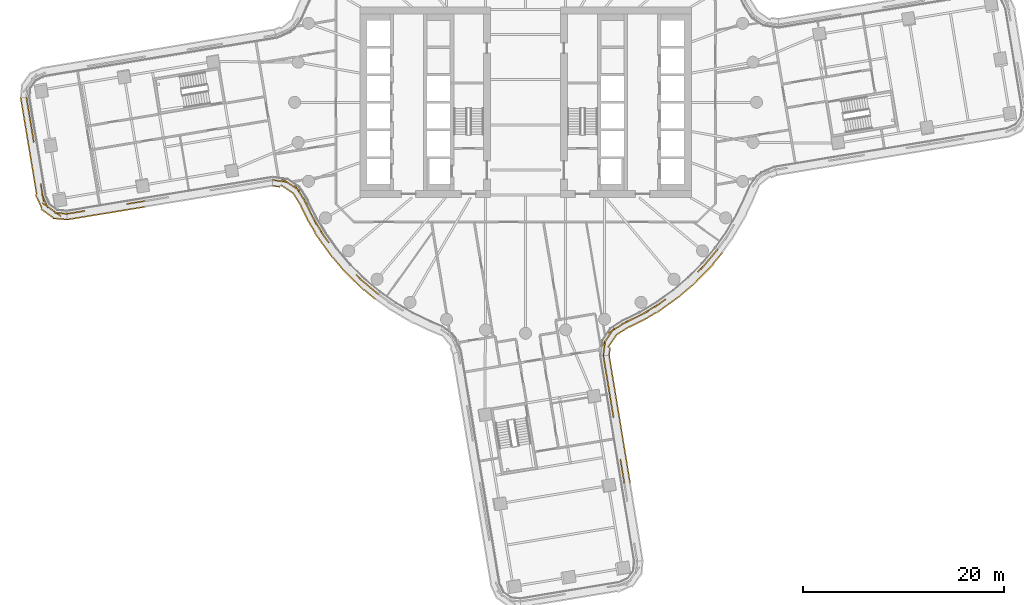
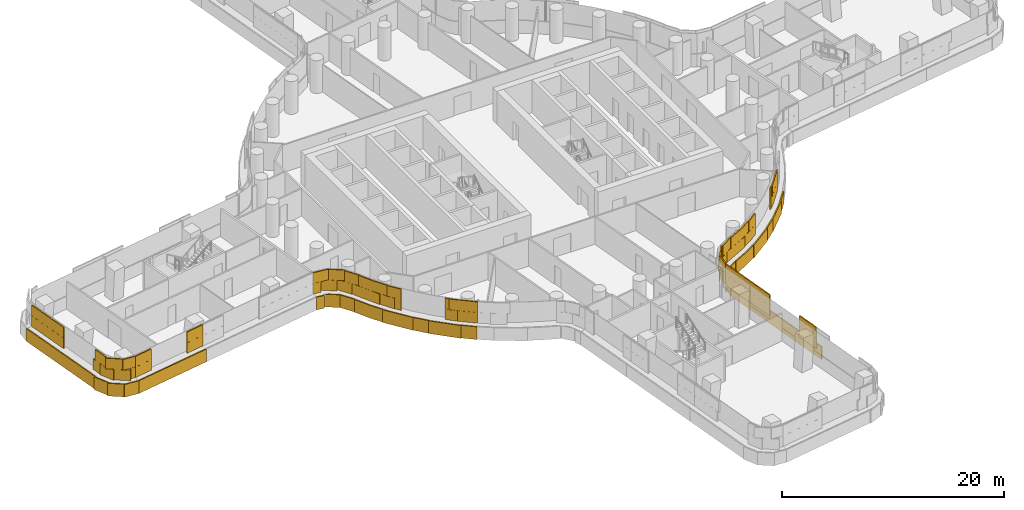
# One storey, part 27 of 32: 5 coverings.
"""IFC4 building model written with IfcOpenShell, lengths in metres."""

from ifc_helpers import new_model, si_unit, direction, frame, origin, origin_2d, place, context, subcontext, project, spatial, rectangle, extrude, material, layer, layer_set, type_object, element, save


model = new_model("IFC4")

# Units and contexts
model_context = context("Model", 3, precision=1e-05, world=origin(), true_north=direction((0.0, 1.0)))
body_context = subcontext(model_context, "Body", "Model", "MODEL_VIEW")
ifc_project = project(units=[si_unit("LENGTHUNIT", "METRE"), si_unit("AREAUNIT", "SQUARE_METRE"), si_unit("VOLUMEUNIT", "CUBIC_METRE"), si_unit("PLANEANGLEUNIT", "RADIAN"), si_unit("MASSUNIT", "GRAM", prefix="KILO")], contexts=[model_context])

# Site, building, storey
site_placement = place(None, origin())
site = spatial("IfcSite", under=ifc_project, at=site_placement, CompositionType="ELEMENT")
building_placement = place(site_placement, origin())
building = spatial("IfcBuilding", under=site, at=building_placement, Name="Tamarind Cross Interchange Tower", CompositionType="ELEMENT")
storey_placement = place(building_placement, frame((0.0, 0.0, 67.75)))
storey = spatial("IfcBuildingStorey", under=building, at=storey_placement, Name="L15", CompositionType="ELEMENT", Elevation=67.75)

# Coverings
ifc_material = material(Name="Terracotta", Category="masonry")
ifc_layer = layer(ifc_material, 0.1201171875)
ifc_layer_set = layer_set([ifc_layer], Name="Terracotta")
covering_type = type_object("IfcCoveringType", Name="Terracotta baguette screen unit", PredefinedType="MOLDING", material=ifc_layer_set)
covering_1_placement = place(storey_placement, origin())
element("IfcCovering", 1, at=covering_1_placement, inside=storey, type_object=covering_type, Name="SCR-L15-04-00", PredefinedType="MOLDING", context=body_context, shape_type="SweptSolid", body=[
    extrude(rectangle(XDim=0.760009765625, YDim=0.1201171875, at=origin_2d()), frame((-49.641845703125, 0.122314453125, 1.404052734375), z_axis=(0.0, 0.0, 1.0), x_axis=(0.163381062571, -0.986563038226, 0.0)), (0.0, 0.0, 1.0), 1.1669921875),
    extrude(rectangle(XDim=1.52001953125, YDim=0.1201171875, at=origin_2d()), frame((-49.4580078125, -0.987548828125, 1.404052734375), z_axis=(0.0, 0.0, 1.0), x_axis=(0.163381062571, -0.986563038226, 0.0)), (0.0, 0.0, 1.0), 1.1669921875),
    extrude(rectangle(XDim=1.52001953125, YDim=0.1201171875, at=origin_2d()), frame((-49.212890625, -2.46728515625, 1.404052734375), z_axis=(0.0, 0.0, 1.0), x_axis=(0.163381062571, -0.986563038226, 0.0)), (0.0, 0.0, 1.0), 1.1669921875),
    extrude(rectangle(XDim=0.784912109375, YDim=0.1201171875, at=origin_2d()), frame((-49.027099609375, -3.589599609375, 1.404052734375), z_axis=(0.0, 0.0, 1.0), x_axis=(0.163381062571, -0.986563038226, 0.0)), (0.0, 0.0, 1.0), 1.1669921875),
    extrude(rectangle(XDim=1.03515625, YDim=0.1201171875, at=origin_2d()), frame((-48.19384765625, -8.620849609375, 1.404052734375), z_axis=(0.0, 0.0, 1.0), x_axis=(0.163381062571, -0.986563038226, 0.0)), (0.0, 0.0, 1.0), 1.1669921875),
    extrude(rectangle(XDim=1.52001953125, YDim=0.1201171875, at=origin_2d()), frame((-47.868408203125, -9.830322265625, 1.404052734375), z_axis=(0.0, 0.0, 1.0), x_axis=(0.413155291351, -0.910660587282, 0.0)), (0.0, 0.0, 1.0), 1.1669921875),
    extrude(rectangle(XDim=1.52001953125, YDim=0.1201171875, at=origin_2d()), frame((-46.88671875, -10.89892578125, 1.404052734375), z_axis=(0.0, 0.0, 1.0), x_axis=(0.813133271659, -0.582077557136, 0.0)), (0.0, 0.0, 1.0), 1.1669921875),
    extrude(rectangle(XDim=0.509521484375, YDim=0.1201171875, at=origin_2d()), frame((-45.92431640625, -11.0830078125, 1.404052734375), z_axis=(0.0, 0.0, 1.0), x_axis=(0.995232848487, -0.097527315623, 0.0)), (0.0, 0.0, 1.0), 1.1669921875),
    extrude(rectangle(XDim=1.510009765625, YDim=0.1201171875, at=origin_2d()), frame((-49.58056640625, -0.24755859375, 2.5791015625), z_axis=(0.0, 0.0, 1.0), x_axis=(0.163381062571, -0.986563038226, 0.0)), (0.0, 0.0, 1.0), 1.1669921875),
    extrude(rectangle(XDim=1.52001953125, YDim=0.1201171875, at=origin_2d()), frame((-49.33544921875, -1.7275390625, 2.5791015625), z_axis=(0.0, 0.0, 1.0), x_axis=(0.163381062571, -0.986563038226, 0.0)), (0.0, 0.0, 1.0), 1.1669921875),
    extrude(rectangle(XDim=1.52001953125, YDim=0.1201171875, at=origin_2d()), frame((-49.09033203125, -3.207275390625, 2.5791015625), z_axis=(0.0, 0.0, 1.0), x_axis=(0.163381062571, -0.986563038226, 0.0)), (0.0, 0.0, 1.0), 1.1669921875),
    extrude(rectangle(XDim=1.52001953125, YDim=0.1201171875, at=origin_2d()), frame((-48.110107421875, -9.126708984375, 2.5791015625), z_axis=(0.0, 0.0, 1.0), x_axis=(0.163381062571, -0.986563038226, 0.0)), (0.0, 0.0, 1.0), 1.1669921875),
    extrude(rectangle(XDim=1.52001953125, YDim=0.1201171875, at=origin_2d()), frame((-47.49658203125, -10.46240234375, 2.5791015625), z_axis=(0.0, 0.0, 1.0), x_axis=(0.813133271659, -0.582077557136, 0.0)), (0.0, 0.0, 1.0), 1.1669921875),
    extrude(rectangle(XDim=1.259521484375, YDim=0.1201171875, at=origin_2d()), frame((-46.29736328125, -11.04638671875, 2.5791015625), z_axis=(0.0, 0.0, 1.0), x_axis=(0.995232848487, -0.097527315623, 0.0)), (0.0, 0.0, 1.0), 1.1669921875),
    extrude(rectangle(XDim=0.760009765625, YDim=0.1201171875, at=origin_2d()), frame((-50.219482421875, 0.09814453125, 0.00390625), z_axis=(0.0, 0.0, 1.0), x_axis=(0.163381062571, -0.986563038226, 0.0)), (0.0, 0.0, 1.0), 1.39208984375),
    extrude(rectangle(XDim=1.52001953125, YDim=0.1201171875, at=origin_2d()), frame((-50.03662109375, -1.0068359375, 0.00390625), z_axis=(0.0, 0.0, 1.0), x_axis=(0.163381062571, -0.986563038226, 0.0)), (0.0, 0.0, 1.0), 1.39208984375),
    extrude(rectangle(XDim=1.52001953125, YDim=0.1201171875, at=origin_2d()), frame((-49.79150390625, -2.486572265625, 0.00390625), z_axis=(0.0, 0.0, 1.0), x_axis=(0.163381062571, -0.986563038226, 0.0)), (0.0, 0.0, 1.0), 1.39208984375),
    extrude(rectangle(XDim=1.52001953125, YDim=0.1201171875, at=origin_2d()), frame((-49.54638671875, -3.966552734375, 0.00390625), z_axis=(0.0, 0.0, 1.0), x_axis=(0.163381062571, -0.986563038226, 0.0)), (0.0, 0.0, 1.0), 1.39208984375),
    extrude(rectangle(XDim=1.52001953125, YDim=0.1201171875, at=origin_2d()), frame((-49.30126953125, -5.4462890625, 0.00390625), z_axis=(0.0, 0.0, 1.0), x_axis=(0.163381062571, -0.986563038226, 0.0)), (0.0, 0.0, 1.0), 1.39208984375),
    extrude(rectangle(XDim=1.52001953125, YDim=0.1201171875, at=origin_2d()), frame((-49.05615234375, -6.926025390625, 0.00390625), z_axis=(0.0, 0.0, 1.0), x_axis=(0.163381062571, -0.986563038226, 0.0)), (0.0, 0.0, 1.0), 1.39208984375),
    extrude(rectangle(XDim=1.52001953125, YDim=0.1201171875, at=origin_2d()), frame((-48.811279296875, -8.406005859375, 0.00390625), z_axis=(0.0, 0.0, 1.0), x_axis=(0.163381062571, -0.986563038226, 0.0)), (0.0, 0.0, 1.0), 1.39208984375),
    extrude(rectangle(XDim=1.52001953125, YDim=0.1201171875, at=origin_2d()), frame((-48.48486328125, -9.861083984375, 0.00390625), z_axis=(0.0, 0.0, 1.0), x_axis=(0.413155291351, -0.910660587282, 0.0)), (0.0, 0.0, 1.0), 1.39208984375),
    extrude(rectangle(XDim=1.52001953125, YDim=0.1201171875, at=origin_2d()), frame((-47.6552734375, -11.0546875, 0.00390625), z_axis=(0.0, 0.0, 1.0), x_axis=(0.813133271659, -0.582077557136, 0.0)), (0.0, 0.0, 1.0), 1.39208984375),
    extrude(rectangle(XDim=1.4267578125, YDim=0.1201171875, at=origin_2d()), frame((-46.36669921875, -11.616455078125, 0.00390625), z_axis=(0.0, 0.0, 1.0), x_axis=(0.995232848487, -0.097527315623, 0.0)), (0.0, 0.0, 1.0), 1.39208984375),
])
covering_2_placement = place(storey_placement, origin())
element("IfcCovering", 2, at=covering_2_placement, inside=storey, type_object=covering_type, Name="SCR-L15-05-00", PredefinedType="MOLDING", context=body_context, shape_type="SweptSolid", body=[
    extrude(rectangle(XDim=0.760009765625, YDim=0.1201171875, at=origin_2d()), frame((-45.3056640625, -11.046630859375, 1.404052734375), z_axis=(0.0, 0.0, 1.0), x_axis=(0.986763854922, 0.162163789482, 0.0)), (0.0, 0.0, 1.0), 1.1669921875),
    extrude(rectangle(XDim=1.08984375, YDim=0.1201171875, at=origin_2d()), frame((-44.40283203125, -10.898193359375, 1.404052734375), z_axis=(0.0, 0.0, 1.0), x_axis=(0.986763854922, 0.162163789482, 0.0)), (0.0, 0.0, 1.0), 1.1669921875),
    extrude(rectangle(XDim=0.730224609375, YDim=0.1201171875, at=origin_2d()), frame((-39.370361328125, -10.071044921875, 1.404052734375), z_axis=(0.0, 0.0, 1.0), x_axis=(0.986763854922, 0.162163789482, 0.0)), (0.0, 0.0, 1.0), 1.1669921875),
    extrude(rectangle(XDim=1.11962890625, YDim=0.1201171875, at=origin_2d()), frame((-38.467529296875, -9.9228515625, 1.404052734375), z_axis=(0.0, 0.0, 1.0), x_axis=(0.986763854922, 0.162163789482, 0.0)), (0.0, 0.0, 1.0), 1.1669921875),
    extrude(rectangle(XDim=1.510009765625, YDim=0.1201171875, at=origin_2d()), frame((-44.935546875, -10.98583984375, 2.5791015625), z_axis=(0.0, 0.0, 1.0), x_axis=(0.986763854922, 0.162163789482, 0.0)), (0.0, 0.0, 1.0), 1.1669921875),
    extrude(rectangle(XDim=0.33984375, YDim=0.1201171875, at=origin_2d()), frame((-44.03271484375, -10.83740234375, 2.5791015625), z_axis=(0.0, 0.0, 1.0), x_axis=(0.986763854922, 0.162163789482, 0.0)), (0.0, 0.0, 1.0), 1.1669921875),
    extrude(rectangle(XDim=1.480224609375, YDim=0.1201171875, at=origin_2d()), frame((-39.000244140625, -10.01025390625, 2.5791015625), z_axis=(0.0, 0.0, 1.0), x_axis=(0.986763854922, 0.162163789482, 0.0)), (0.0, 0.0, 1.0), 1.1669921875),
    extrude(rectangle(XDim=0.36962890625, YDim=0.1201171875, at=origin_2d()), frame((-38.097412109375, -9.862060546875, 2.5791015625), z_axis=(0.0, 0.0, 1.0), x_axis=(0.986763854922, 0.162163789482, 0.0)), (0.0, 0.0, 1.0), 1.1669921875),
    extrude(rectangle(XDim=0.760009765625, YDim=0.1201171875, at=origin_2d()), frame((-45.28173828125, -11.624267578125, 0.00390625), z_axis=(0.0, 0.0, 1.0), x_axis=(0.986763854922, 0.162163789482, 0.0)), (0.0, 0.0, 1.0), 1.39208984375),
    extrude(rectangle(XDim=1.52001953125, YDim=0.1201171875, at=origin_2d()), frame((-44.176513671875, -11.442626953125, 0.00390625), z_axis=(0.0, 0.0, 1.0), x_axis=(0.986763854922, 0.162163789482, 0.0)), (0.0, 0.0, 1.0), 1.39208984375),
    extrude(rectangle(XDim=1.52001953125, YDim=0.1201171875, at=origin_2d()), frame((-42.696533203125, -11.199462890625, 0.00390625), z_axis=(0.0, 0.0, 1.0), x_axis=(0.986763854922, 0.162163789482, 0.0)), (0.0, 0.0, 1.0), 1.39208984375),
    extrude(rectangle(XDim=1.52001953125, YDim=0.1201171875, at=origin_2d()), frame((-41.21630859375, -10.956298828125, 0.00390625), z_axis=(0.0, 0.0, 1.0), x_axis=(0.986763854922, 0.162163789482, 0.0)), (0.0, 0.0, 1.0), 1.39208984375),
    extrude(rectangle(XDim=1.52001953125, YDim=0.1201171875, at=origin_2d()), frame((-39.736083984375, -10.712890625, 0.00390625), z_axis=(0.0, 0.0, 1.0), x_axis=(0.986763854922, 0.162163789482, 0.0)), (0.0, 0.0, 1.0), 1.39208984375),
    extrude(rectangle(XDim=1.115966796875, YDim=0.1201171875, at=origin_2d()), frame((-38.455322265625, -10.50244140625, 0.00390625), z_axis=(0.0, 0.0, 1.0), x_axis=(0.986763854922, 0.162163789482, 0.0)), (0.0, 0.0, 1.0), 1.39208984375),
])
covering_3_placement = place(storey_placement, origin())
element("IfcCovering", 3, at=covering_3_placement, inside=storey, type_object=covering_type, Name="SCR-L15-06-00", PredefinedType="MOLDING", context=body_context, shape_type="SweptSolid", body=[
    extrude(rectangle(XDim=0.760009765625, YDim=0.1201171875, at=origin_2d()), frame((-24.82666015625, -7.791748046875, 1.404052734375), z_axis=(0.0, 0.0, 1.0), x_axis=(0.991258515893, -0.131933902651, 0.0)), (0.0, 0.0, 1.0), 1.1669921875),
    extrude(rectangle(XDim=1.52001953125, YDim=0.1201171875, at=origin_2d()), frame((-23.725830078125, -7.977783203125, 1.404052734375), z_axis=(0.0, 0.0, 1.0), x_axis=(0.829512225213, -0.558488556931, 0.0)), (0.0, 0.0, 1.0), 1.1669921875),
    extrude(rectangle(XDim=1.52001953125, YDim=0.1201171875, at=origin_2d()), frame((-22.568603515625, -8.900390625, 1.404052734375), z_axis=(0.0, 0.0, 1.0), x_axis=(0.535884272478, -0.844291446428, 0.0)), (0.0, 0.0, 1.0), 1.1669921875),
    extrude(rectangle(XDim=1.52001953125, YDim=0.1201171875, at=origin_2d()), frame((-21.8076171875, -10.19091796875, 1.404052734375), z_axis=(0.0, 0.0, 1.0), x_axis=(0.443058811505, -0.896492548518, 0.0)), (0.0, 0.0, 1.0), 1.1669921875),
    extrude(rectangle(XDim=1.52001953125, YDim=0.1201171875, at=origin_2d()), frame((-21.14306640625, -11.53564453125, 1.404052734375), z_axis=(0.0, 0.0, 1.0), x_axis=(0.443058811505, -0.896492548518, 0.0)), (0.0, 0.0, 1.0), 1.1669921875),
    extrude(rectangle(XDim=1.52001953125, YDim=0.1201171875, at=origin_2d()), frame((-20.37109375, -12.82177734375, 1.404052734375), z_axis=(0.0, 0.0, 1.0), x_axis=(0.515577308909, -0.856843065292, 0.0)), (0.0, 0.0, 1.0), 1.1669921875),
    extrude(rectangle(XDim=0.64208984375, YDim=0.1201171875, at=origin_2d()), frame((-19.783203125, -13.7099609375, 1.404052734375), z_axis=(0.0, 0.0, 1.0), x_axis=(0.584573890505, -0.811340475102, 0.0)), (0.0, 0.0, 1.0), 1.1669921875),
    extrude(rectangle(XDim=1.177978515625, YDim=0.1201171875, at=origin_2d()), frame((-16.462646484375, -17.566650390625, 1.404052734375), z_axis=(0.0, 0.0, 1.0), x_axis=(0.710143317658, -0.704057148523, 0.0)), (0.0, 0.0, 1.0), 1.1669921875),
    extrude(rectangle(XDim=1.52001953125, YDim=0.1201171875, at=origin_2d()), frame((-15.458740234375, -18.44384765625, 1.404052734375), z_axis=(0.0, 0.0, 1.0), x_axis=(0.765858396687, -0.643009266048, 0.0)), (0.0, 0.0, 1.0), 1.1669921875),
    extrude(rectangle(XDim=0.34814453125, YDim=0.1201171875, at=origin_2d()), frame((-14.7548828125, -19.034912109375, 1.404052734375), z_axis=(0.0, 0.0, 1.0), x_axis=(0.765858396687, -0.643009266048, 0.0)), (0.0, 0.0, 1.0), 1.1669921875),
    extrude(rectangle(XDim=1.510009765625, YDim=0.1201171875, at=origin_2d()), frame((-24.454833984375, -7.841064453125, 2.5791015625), z_axis=(0.0, 0.0, 1.0), x_axis=(0.991258515893, -0.131933902651, 0.0)), (0.0, 0.0, 1.0), 1.1669921875),
    extrude(rectangle(XDim=1.52001953125, YDim=0.1201171875, at=origin_2d()), frame((-23.103759765625, -8.396728515625, 2.5791015625), z_axis=(0.0, 0.0, 1.0), x_axis=(0.829512225213, -0.558488556931, 0.0)), (0.0, 0.0, 1.0), 1.1669921875),
    extrude(rectangle(XDim=1.52001953125, YDim=0.1201171875, at=origin_2d()), frame((-22.166748046875, -9.533447265625, 2.5791015625), z_axis=(0.0, 0.0, 1.0), x_axis=(0.535884272478, -0.844291446428, 0.0)), (0.0, 0.0, 1.0), 1.1669921875),
    extrude(rectangle(XDim=1.52001953125, YDim=0.1201171875, at=origin_2d()), frame((-21.475341796875, -10.86328125, 2.5791015625), z_axis=(0.0, 0.0, 1.0), x_axis=(0.443058811505, -0.896492548518, 0.0)), (0.0, 0.0, 1.0), 1.1669921875),
    extrude(rectangle(XDim=1.52001953125, YDim=0.1201171875, at=origin_2d()), frame((-20.7578125, -12.178955078125, 2.5791015625), z_axis=(0.0, 0.0, 1.0), x_axis=(0.515577308909, -0.856843065292, 0.0)), (0.0, 0.0, 1.0), 1.1669921875),
    extrude(rectangle(XDim=1.39208984375, YDim=0.1201171875, at=origin_2d()), frame((-20.00244140625, -13.405517578125, 2.5791015625), z_axis=(0.0, 0.0, 1.0), x_axis=(0.584573890505, -0.811340475102, 0.0)), (0.0, 0.0, 1.0), 1.1669921875),
    extrude(rectangle(XDim=0.427978515625, YDim=0.1201171875, at=origin_2d()), frame((-16.728759765625, -17.302734375, 2.5791015625), z_axis=(0.0, 0.0, 1.0), x_axis=(0.710143317658, -0.704057148523, 0.0)), (0.0, 0.0, 1.0), 1.1669921875),
    extrude(rectangle(XDim=1.52001953125, YDim=0.1201171875, at=origin_2d()), frame((-16.032958984375, -17.961669921875, 2.5791015625), z_axis=(0.0, 0.0, 1.0), x_axis=(0.765858396687, -0.643009266048, 0.0)), (0.0, 0.0, 1.0), 1.1669921875),
    extrude(rectangle(XDim=1.09814453125, YDim=0.1201171875, at=origin_2d()), frame((-15.0419921875, -18.793701171875, 2.5791015625), z_axis=(0.0, 0.0, 1.0), x_axis=(0.765858396687, -0.643009266048, 0.0)), (0.0, 0.0, 1.0), 1.1669921875),
    extrude(rectangle(XDim=0.760009765625, YDim=0.1201171875, at=origin_2d()), frame((-24.812744140625, -8.37255859375, 0.00390625), z_axis=(0.0, 0.0, 1.0), x_axis=(0.991258515893, -0.131933902651, 0.0)), (0.0, 0.0, 1.0), 1.39208984375),
    extrude(rectangle(XDim=1.52001953125, YDim=0.1201171875, at=origin_2d()), frame((-23.75244140625, -8.65185546875, 0.00390625), z_axis=(0.0, 0.0, 1.0), x_axis=(0.829512225213, -0.558488556931, 0.0)), (0.0, 0.0, 1.0), 1.39208984375),
    extrude(rectangle(XDim=1.52001953125, YDim=0.1201171875, at=origin_2d()), frame((-22.734619140625, -9.7099609375, 0.00390625), z_axis=(0.0, 0.0, 1.0), x_axis=(0.535884272478, -0.844291446428, 0.0)), (0.0, 0.0, 1.0), 1.39208984375),
    extrude(rectangle(XDim=1.52001953125, YDim=0.1201171875, at=origin_2d()), frame((-22.031494140625, -11.032958984375, 0.00390625), z_axis=(0.0, 0.0, 1.0), x_axis=(0.443058811505, -0.896492548518, 0.0)), (0.0, 0.0, 1.0), 1.39208984375),
    extrude(rectangle(XDim=1.52001953125, YDim=0.1201171875, at=origin_2d()), frame((-21.32275390625, -12.353515625, 0.00390625), z_axis=(0.0, 0.0, 1.0), x_axis=(0.515577308909, -0.856843065292, 0.0)), (0.0, 0.0, 1.0), 1.39208984375),
    extrude(rectangle(XDim=1.52001953125, YDim=0.1201171875, at=origin_2d()), frame((-20.54443359375, -13.635498046875, 0.00390625), z_axis=(0.0, 0.0, 1.0), x_axis=(0.584573890505, -0.811340475102, 0.0)), (0.0, 0.0, 1.0), 1.39208984375),
    extrude(rectangle(XDim=1.52001953125, YDim=0.1201171875, at=origin_2d()), frame((-19.66748046875, -14.8525390625, 0.00390625), z_axis=(0.0, 0.0, 1.0), x_axis=(0.584573890505, -0.811340475102, 0.0)), (0.0, 0.0, 1.0), 1.39208984375),
    extrude(rectangle(XDim=1.52001953125, YDim=0.1201171875, at=origin_2d()), frame((-18.723388671875, -16.016845703125, 0.00390625), z_axis=(0.0, 0.0, 1.0), x_axis=(0.64957723968, -0.760295606781, 0.0)), (0.0, 0.0, 1.0), 1.39208984375),
    extrude(rectangle(XDim=1.52001953125, YDim=0.1201171875, at=origin_2d()), frame((-17.718994140625, -17.12939453125, 0.00390625), z_axis=(0.0, 0.0, 1.0), x_axis=(0.710143317658, -0.704057148523, 0.0)), (0.0, 0.0, 1.0), 1.39208984375),
    extrude(rectangle(XDim=1.52001953125, YDim=0.1201171875, at=origin_2d()), frame((-16.65380859375, -18.185302734375, 0.00390625), z_axis=(0.0, 0.0, 1.0), x_axis=(0.710143317658, -0.704057148523, 0.0)), (0.0, 0.0, 1.0), 1.39208984375),
    extrude(rectangle(XDim=1.4560546875, YDim=0.1201171875, at=origin_2d()), frame((-15.53173828125, -19.1318359375, 0.00390625), z_axis=(0.0, 0.0, 1.0), x_axis=(0.765858396687, -0.643009266048, 0.0)), (0.0, 0.0, 1.0), 1.39208984375),
])
covering_4_placement = place(storey_placement, origin())
element("IfcCovering", 4, at=covering_4_placement, inside=storey, type_object=covering_type, Name="SCR-L15-09-01", PredefinedType="MOLDING", context=body_context, shape_type="SweptSolid", body=[
    extrude(rectangle(XDim=0.400390625, YDim=0.1201171875, at=origin_2d()), frame((9.80126953125, -37.727294921875, 1.404052734375), z_axis=(0.0, 0.0, 1.0), x_axis=(-0.162163789482, 0.986763854922, 0.0)), (0.0, 0.0, 1.0), 1.1669921875),
    extrude(rectangle(XDim=1.52001953125, YDim=0.1201171875, at=origin_2d()), frame((9.64794921875, -36.794677734375, 1.404052734375), z_axis=(0.0, 0.0, 1.0), x_axis=(-0.162163789482, 0.986763854922, 0.0)), (0.0, 0.0, 1.0), 1.1669921875),
    extrude(rectangle(XDim=0.519287109375, YDim=0.1201171875, at=origin_2d()), frame((9.48486328125, -35.803466796875, 1.404052734375), z_axis=(0.0, 0.0, 1.0), x_axis=(-0.162163789482, 0.986763854922, 0.0)), (0.0, 0.0, 1.0), 1.1669921875),
    extrude(rectangle(XDim=1.300537109375, YDim=0.1201171875, at=origin_2d()), frame((8.657958984375, -30.770751953125, 1.404052734375), z_axis=(0.0, 0.0, 1.0), x_axis=(-0.162163789482, 0.986763854922, 0.0)), (0.0, 0.0, 1.0), 1.1669921875),
    extrude(rectangle(XDim=1.52001953125, YDim=0.1201171875, at=origin_2d()), frame((8.431640625, -29.39404296875, 1.404052734375), z_axis=(0.0, 0.0, 1.0), x_axis=(-0.162163789482, 0.986763854922, 0.0)), (0.0, 0.0, 1.0), 1.1669921875),
    extrude(rectangle(XDim=1.52001953125, YDim=0.1201171875, at=origin_2d()), frame((8.1884765625, -27.913818359375, 1.404052734375), z_axis=(0.0, 0.0, 1.0), x_axis=(-0.162163789482, 0.986763854922, 0.0)), (0.0, 0.0, 1.0), 1.1669921875),
    extrude(rectangle(XDim=1.52001953125, YDim=0.1201171875, at=origin_2d()), frame((7.945068359375, -26.43359375, 1.404052734375), z_axis=(0.0, 0.0, 1.0), x_axis=(-0.162163789482, 0.986763854922, 0.0)), (0.0, 0.0, 1.0), 1.1669921875),
    extrude(rectangle(XDim=0.511962890625, YDim=0.1201171875, at=origin_2d()), frame((7.782958984375, -25.446044921875, 1.404052734375), z_axis=(0.0, 0.0, 1.0), x_axis=(-0.162163789482, 0.986763854922, 0.0)), (0.0, 0.0, 1.0), 1.1669921875),
    extrude(rectangle(XDim=1.150390625, YDim=0.1201171875, at=origin_2d()), frame((9.740478515625, -37.357421875, 2.5791015625), z_axis=(0.0, 0.0, 1.0), x_axis=(-0.162163789482, 0.986763854922, 0.0)), (0.0, 0.0, 1.0), 1.1669921875),
    extrude(rectangle(XDim=1.269287109375, YDim=0.1201171875, at=origin_2d()), frame((9.5458984375, -36.17333984375, 2.5791015625), z_axis=(0.0, 0.0, 1.0), x_axis=(-0.162163789482, 0.986763854922, 0.0)), (0.0, 0.0, 1.0), 1.1669921875),
    extrude(rectangle(XDim=0.550537109375, YDim=0.1201171875, at=origin_2d()), frame((8.71875, -31.140869140625, 2.5791015625), z_axis=(0.0, 0.0, 1.0), x_axis=(-0.162163789482, 0.986763854922, 0.0)), (0.0, 0.0, 1.0), 1.1669921875),
    extrude(rectangle(XDim=1.52001953125, YDim=0.1201171875, at=origin_2d()), frame((8.55322265625, -30.134033203125, 2.5791015625), z_axis=(0.0, 0.0, 1.0), x_axis=(-0.162163789482, 0.986763854922, 0.0)), (0.0, 0.0, 1.0), 1.1669921875),
    extrude(rectangle(XDim=1.52001953125, YDim=0.1201171875, at=origin_2d()), frame((8.31005859375, -28.654052734375, 2.5791015625), z_axis=(0.0, 0.0, 1.0), x_axis=(-0.162163789482, 0.986763854922, 0.0)), (0.0, 0.0, 1.0), 1.1669921875),
    extrude(rectangle(XDim=1.52001953125, YDim=0.1201171875, at=origin_2d()), frame((8.06689453125, -27.173828125, 2.5791015625), z_axis=(0.0, 0.0, 1.0), x_axis=(-0.162163789482, 0.986763854922, 0.0)), (0.0, 0.0, 1.0), 1.1669921875),
    extrude(rectangle(XDim=1.261962890625, YDim=0.1201171875, at=origin_2d()), frame((7.84375, -25.81591796875, 2.5791015625), z_axis=(0.0, 0.0, 1.0), x_axis=(-0.162163789482, 0.986763854922, 0.0)), (0.0, 0.0, 1.0), 1.1669921875),
    extrude(rectangle(XDim=0.404052734375, YDim=0.1201171875, at=origin_2d()), frame((10.37939453125, -37.70556640625, 0.00390625), z_axis=(0.0, 0.0, 1.0), x_axis=(-0.162163789482, 0.986763854922, 0.0)), (0.0, 0.0, 1.0), 1.39208984375),
    extrude(rectangle(XDim=1.52001953125, YDim=0.1201171875, at=origin_2d()), frame((10.2265625, -36.77587890625, 0.00390625), z_axis=(0.0, 0.0, 1.0), x_axis=(-0.162163789482, 0.986763854922, 0.0)), (0.0, 0.0, 1.0), 1.39208984375),
    extrude(rectangle(XDim=1.52001953125, YDim=0.1201171875, at=origin_2d()), frame((9.983154296875, -35.295654296875, 0.00390625), z_axis=(0.0, 0.0, 1.0), x_axis=(-0.162163789482, 0.986763854922, 0.0)), (0.0, 0.0, 1.0), 1.39208984375),
    extrude(rectangle(XDim=1.52001953125, YDim=0.1201171875, at=origin_2d()), frame((9.739990234375, -33.815673828125, 0.00390625), z_axis=(0.0, 0.0, 1.0), x_axis=(-0.162163789482, 0.986763854922, 0.0)), (0.0, 0.0, 1.0), 1.39208984375),
    extrude(rectangle(XDim=1.52001953125, YDim=0.1201171875, at=origin_2d()), frame((9.496826171875, -32.33544921875, 0.00390625), z_axis=(0.0, 0.0, 1.0), x_axis=(-0.162163789482, 0.986763854922, 0.0)), (0.0, 0.0, 1.0), 1.39208984375),
    extrude(rectangle(XDim=1.52001953125, YDim=0.1201171875, at=origin_2d()), frame((9.25341796875, -30.855224609375, 0.00390625), z_axis=(0.0, 0.0, 1.0), x_axis=(-0.162163789482, 0.986763854922, 0.0)), (0.0, 0.0, 1.0), 1.39208984375),
    extrude(rectangle(XDim=1.52001953125, YDim=0.1201171875, at=origin_2d()), frame((9.01025390625, -29.375244140625, 0.00390625), z_axis=(0.0, 0.0, 1.0), x_axis=(-0.162163789482, 0.986763854922, 0.0)), (0.0, 0.0, 1.0), 1.39208984375),
    extrude(rectangle(XDim=1.52001953125, YDim=0.1201171875, at=origin_2d()), frame((8.76708984375, -27.89501953125, 0.00390625), z_axis=(0.0, 0.0, 1.0), x_axis=(-0.162163789482, 0.986763854922, 0.0)), (0.0, 0.0, 1.0), 1.39208984375),
    extrude(rectangle(XDim=1.52001953125, YDim=0.1201171875, at=origin_2d()), frame((8.523681640625, -26.414794921875, 0.00390625), z_axis=(0.0, 0.0, 1.0), x_axis=(-0.162163789482, 0.986763854922, 0.0)), (0.0, 0.0, 1.0), 1.39208984375),
    extrude(rectangle(XDim=0.501708984375, YDim=0.1201171875, at=origin_2d()), frame((8.363037109375, -25.43701171875, 0.00390625), z_axis=(0.0, 0.0, 1.0), x_axis=(-0.162163789482, 0.986763854922, 0.0)), (0.0, 0.0, 1.0), 1.39208984375),
])
covering_5_placement = place(storey_placement, origin())
element("IfcCovering", 5, at=covering_5_placement, inside=storey, type_object=covering_type, Name="SCR-L15-10-00", PredefinedType="MOLDING", context=body_context, shape_type="SweptSolid", body=[
    extrude(rectangle(XDim=0.760009765625, YDim=0.1201171875, at=origin_2d()), frame((7.791748046875, -24.82666015625, 1.404052734375), z_axis=(0.0, 0.0, 1.0), x_axis=(0.131933902651, 0.991258515893, 0.0)), (0.0, 0.0, 1.0), 1.1669921875),
    extrude(rectangle(XDim=1.52001953125, YDim=0.1201171875, at=origin_2d()), frame((7.977783203125, -23.725830078125, 1.404052734375), z_axis=(0.0, 0.0, 1.0), x_axis=(0.558488556931, 0.829512225213, 0.0)), (0.0, 0.0, 1.0), 1.1669921875),
    extrude(rectangle(XDim=1.52001953125, YDim=0.1201171875, at=origin_2d()), frame((8.900390625, -22.568603515625, 1.404052734375), z_axis=(0.0, 0.0, 1.0), x_axis=(0.844291446428, 0.535884272478, 0.0)), (0.0, 0.0, 1.0), 1.1669921875),
    extrude(rectangle(XDim=1.52001953125, YDim=0.1201171875, at=origin_2d()), frame((10.19091796875, -21.8076171875, 1.404052734375), z_axis=(0.0, 0.0, 1.0), x_axis=(0.896492548518, 0.443058811505, 0.0)), (0.0, 0.0, 1.0), 1.1669921875),
    extrude(rectangle(XDim=1.52001953125, YDim=0.1201171875, at=origin_2d()), frame((11.53564453125, -21.14306640625, 1.404052734375), z_axis=(0.0, 0.0, 1.0), x_axis=(0.896492548518, 0.443058811505, 0.0)), (0.0, 0.0, 1.0), 1.1669921875),
    extrude(rectangle(XDim=1.52001953125, YDim=0.1201171875, at=origin_2d()), frame((12.82177734375, -20.37109375, 1.404052734375), z_axis=(0.0, 0.0, 1.0), x_axis=(0.856843065292, 0.515577308909, 0.0)), (0.0, 0.0, 1.0), 1.1669921875),
    extrude(rectangle(XDim=0.64208984375, YDim=0.1201171875, at=origin_2d()), frame((13.7099609375, -19.783203125, 1.404052734375), z_axis=(0.0, 0.0, 1.0), x_axis=(0.811340475102, 0.584573890505, 0.0)), (0.0, 0.0, 1.0), 1.1669921875),
    extrude(rectangle(XDim=1.177978515625, YDim=0.1201171875, at=origin_2d()), frame((17.566650390625, -16.462646484375, 1.404052734375), z_axis=(0.0, 0.0, 1.0), x_axis=(0.704057148523, 0.710143317658, 0.0)), (0.0, 0.0, 1.0), 1.1669921875),
    extrude(rectangle(XDim=1.52001953125, YDim=0.1201171875, at=origin_2d()), frame((18.44384765625, -15.458740234375, 1.404052734375), z_axis=(0.0, 0.0, 1.0), x_axis=(0.643009266048, 0.765858396687, 0.0)), (0.0, 0.0, 1.0), 1.1669921875),
    extrude(rectangle(XDim=0.34814453125, YDim=0.1201171875, at=origin_2d()), frame((19.034912109375, -14.7548828125, 1.404052734375), z_axis=(0.0, 0.0, 1.0), x_axis=(0.643009266048, 0.765858396687, 0.0)), (0.0, 0.0, 1.0), 1.1669921875),
    extrude(rectangle(XDim=1.510009765625, YDim=0.1201171875, at=origin_2d()), frame((7.841064453125, -24.454833984375, 2.5791015625), z_axis=(0.0, 0.0, 1.0), x_axis=(0.131933902651, 0.991258515893, 0.0)), (0.0, 0.0, 1.0), 1.1669921875),
    extrude(rectangle(XDim=1.52001953125, YDim=0.1201171875, at=origin_2d()), frame((8.396728515625, -23.103759765625, 2.5791015625), z_axis=(0.0, 0.0, 1.0), x_axis=(0.558488556931, 0.829512225213, 0.0)), (0.0, 0.0, 1.0), 1.1669921875),
    extrude(rectangle(XDim=1.52001953125, YDim=0.1201171875, at=origin_2d()), frame((9.533447265625, -22.166748046875, 2.5791015625), z_axis=(0.0, 0.0, 1.0), x_axis=(0.844291446428, 0.535884272478, 0.0)), (0.0, 0.0, 1.0), 1.1669921875),
    extrude(rectangle(XDim=1.52001953125, YDim=0.1201171875, at=origin_2d()), frame((10.86328125, -21.475341796875, 2.5791015625), z_axis=(0.0, 0.0, 1.0), x_axis=(0.896492548518, 0.443058811505, 0.0)), (0.0, 0.0, 1.0), 1.1669921875),
    extrude(rectangle(XDim=1.52001953125, YDim=0.1201171875, at=origin_2d()), frame((12.178955078125, -20.7578125, 2.5791015625), z_axis=(0.0, 0.0, 1.0), x_axis=(0.856843065292, 0.515577308909, 0.0)), (0.0, 0.0, 1.0), 1.1669921875),
    extrude(rectangle(XDim=1.39208984375, YDim=0.1201171875, at=origin_2d()), frame((13.405517578125, -20.00244140625, 2.5791015625), z_axis=(0.0, 0.0, 1.0), x_axis=(0.811340475102, 0.584573890505, 0.0)), (0.0, 0.0, 1.0), 1.1669921875),
    extrude(rectangle(XDim=0.427978515625, YDim=0.1201171875, at=origin_2d()), frame((17.302734375, -16.728759765625, 2.5791015625), z_axis=(0.0, 0.0, 1.0), x_axis=(0.704057148523, 0.710143317658, 0.0)), (0.0, 0.0, 1.0), 1.1669921875),
    extrude(rectangle(XDim=1.52001953125, YDim=0.1201171875, at=origin_2d()), frame((17.961669921875, -16.032958984375, 2.5791015625), z_axis=(0.0, 0.0, 1.0), x_axis=(0.643009266048, 0.765858396687, 0.0)), (0.0, 0.0, 1.0), 1.1669921875),
    extrude(rectangle(XDim=1.09814453125, YDim=0.1201171875, at=origin_2d()), frame((18.793701171875, -15.0419921875, 2.5791015625), z_axis=(0.0, 0.0, 1.0), x_axis=(0.643009266048, 0.765858396687, 0.0)), (0.0, 0.0, 1.0), 1.1669921875),
    extrude(rectangle(XDim=0.760009765625, YDim=0.1201171875, at=origin_2d()), frame((8.37255859375, -24.812744140625, 0.00390625), z_axis=(0.0, 0.0, 1.0), x_axis=(0.131933902651, 0.991258515893, 0.0)), (0.0, 0.0, 1.0), 1.39208984375),
    extrude(rectangle(XDim=1.52001953125, YDim=0.1201171875, at=origin_2d()), frame((8.65185546875, -23.75244140625, 0.00390625), z_axis=(0.0, 0.0, 1.0), x_axis=(0.558488556931, 0.829512225213, 0.0)), (0.0, 0.0, 1.0), 1.39208984375),
    extrude(rectangle(XDim=1.52001953125, YDim=0.1201171875, at=origin_2d()), frame((9.7099609375, -22.734619140625, 0.00390625), z_axis=(0.0, 0.0, 1.0), x_axis=(0.844291446428, 0.535884272478, 0.0)), (0.0, 0.0, 1.0), 1.39208984375),
    extrude(rectangle(XDim=1.52001953125, YDim=0.1201171875, at=origin_2d()), frame((11.032958984375, -22.031494140625, 0.00390625), z_axis=(0.0, 0.0, 1.0), x_axis=(0.896492548518, 0.443058811505, 0.0)), (0.0, 0.0, 1.0), 1.39208984375),
    extrude(rectangle(XDim=1.52001953125, YDim=0.1201171875, at=origin_2d()), frame((12.353515625, -21.32275390625, 0.00390625), z_axis=(0.0, 0.0, 1.0), x_axis=(0.856843065292, 0.515577308909, 0.0)), (0.0, 0.0, 1.0), 1.39208984375),
    extrude(rectangle(XDim=1.52001953125, YDim=0.1201171875, at=origin_2d()), frame((13.635498046875, -20.54443359375, 0.00390625), z_axis=(0.0, 0.0, 1.0), x_axis=(0.811340475102, 0.584573890505, 0.0)), (0.0, 0.0, 1.0), 1.39208984375),
    extrude(rectangle(XDim=1.52001953125, YDim=0.1201171875, at=origin_2d()), frame((14.8525390625, -19.66748046875, 0.00390625), z_axis=(0.0, 0.0, 1.0), x_axis=(0.811340475102, 0.584573890505, 0.0)), (0.0, 0.0, 1.0), 1.39208984375),
    extrude(rectangle(XDim=1.52001953125, YDim=0.1201171875, at=origin_2d()), frame((16.016845703125, -18.723388671875, 0.00390625), z_axis=(0.0, 0.0, 1.0), x_axis=(0.760295606781, 0.64957723968, 0.0)), (0.0, 0.0, 1.0), 1.39208984375),
    extrude(rectangle(XDim=1.52001953125, YDim=0.1201171875, at=origin_2d()), frame((17.12939453125, -17.718994140625, 0.00390625), z_axis=(0.0, 0.0, 1.0), x_axis=(0.704057148523, 0.710143317658, 0.0)), (0.0, 0.0, 1.0), 1.39208984375),
    extrude(rectangle(XDim=1.52001953125, YDim=0.1201171875, at=origin_2d()), frame((18.185302734375, -16.65380859375, 0.00390625), z_axis=(0.0, 0.0, 1.0), x_axis=(0.704057148523, 0.710143317658, 0.0)), (0.0, 0.0, 1.0), 1.39208984375),
    extrude(rectangle(XDim=1.4560546875, YDim=0.1201171875, at=origin_2d()), frame((19.1318359375, -15.53173828125, 0.00390625), z_axis=(0.0, 0.0, 1.0), x_axis=(0.643009266048, 0.765858396687, 0.0)), (0.0, 0.0, 1.0), 1.39208984375),
])

save(model, "model.ifc")
